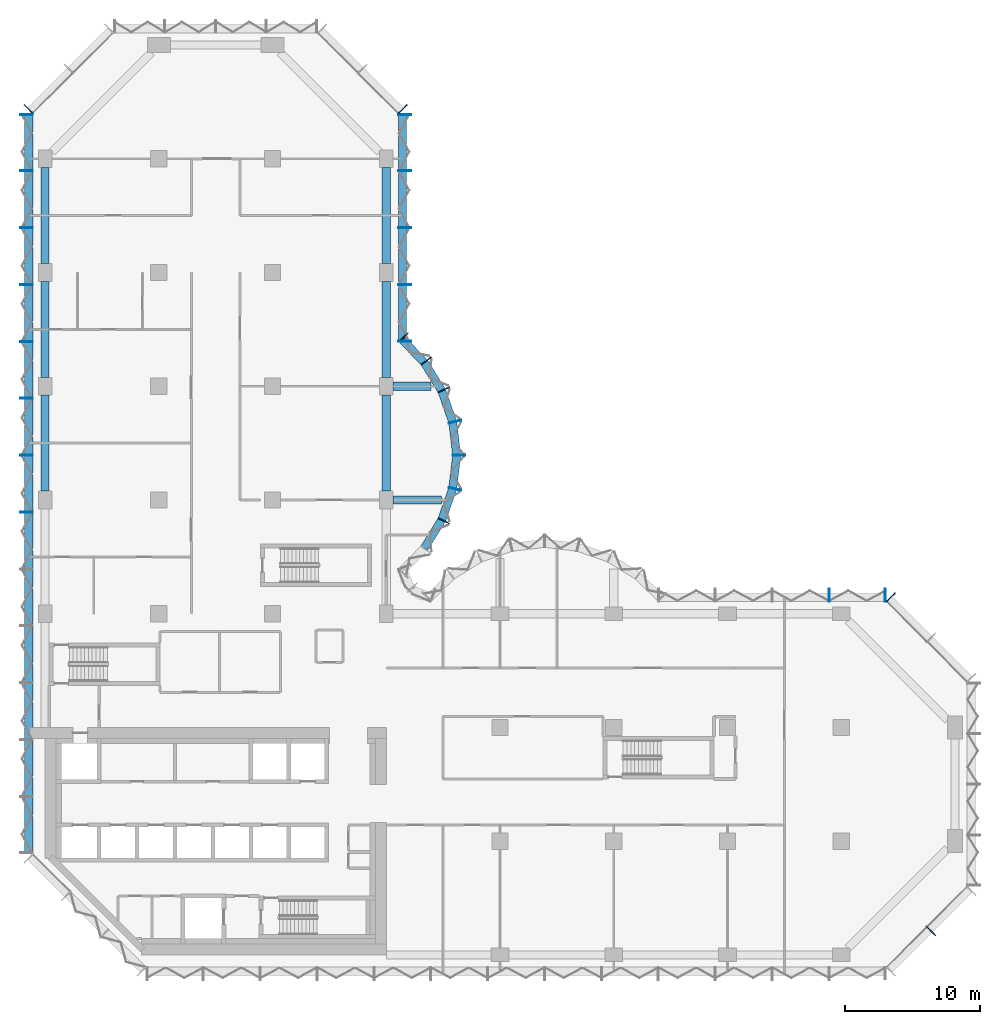
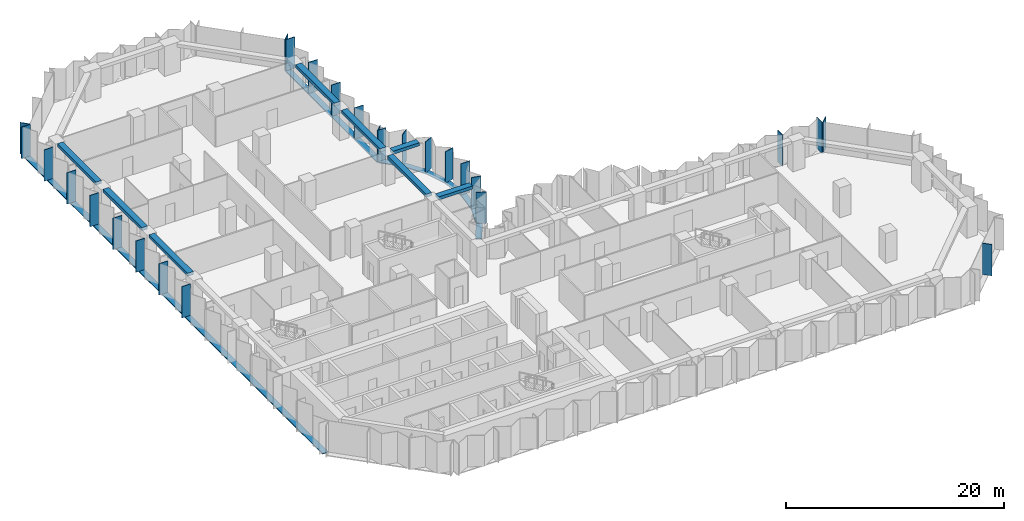
# One storey, part 3 of 13: 35 members, 8 beams, 8 elements without a shape of their own.
"""IFC4 building model written with IfcOpenShell, lengths in metres."""

from ifc_helpers import new_model, si_unit, direction, frame, origin, origin_2d, place, context, subcontext, project, spatial, rectangle, extrude, material, material_profile, profile_set, type_object, element, aggregate, save


model = new_model("IFC4")

# Units and contexts
model_context = context("Model", 3, precision=1e-05, world=origin(), true_north=direction((0.0, 1.0)))
body_context = subcontext(model_context, "Body", "Model", "MODEL_VIEW")
ifc_project = project(units=[si_unit("LENGTHUNIT", "METRE"), si_unit("AREAUNIT", "SQUARE_METRE"), si_unit("VOLUMEUNIT", "CUBIC_METRE"), si_unit("PLANEANGLEUNIT", "RADIAN"), si_unit("MASSUNIT", "GRAM", prefix="KILO")], contexts=[model_context])

# Site, building, storey
site_placement = place(None, origin())
site = spatial("IfcSite", under=ifc_project, at=site_placement, CompositionType="ELEMENT")
building_placement = place(site_placement, origin())
building = spatial("IfcBuilding", under=site, at=building_placement, Name="Brevane Broadcast Tower", CompositionType="ELEMENT")
storey_placement = place(building_placement, frame((0.0, 0.0, 116.89990234375)))
storey = spatial("IfcBuildingStorey", under=building, at=storey_placement, Name="L28", CompositionType="ELEMENT", Elevation=116.89990234375)

# Curtain wall, member
ifc_material_1 = material(Name="Aluminium 6063-T6 bronze anodised", Category="aluminium")
curtain_wall_type = type_object("IfcCurtainWallType", Name="CW-1 curtain wall", PredefinedType="NOTDEFINED", material=ifc_material_1)
curtain_wall_1_placement = place(storey_placement, origin())
curtain_wall_1 = element("IfcCurtainWall", 1, at=curtain_wall_1_placement, inside=storey, type_object=curtain_wall_type, Name="CW-1 typical tilted unit L28 south-east chamfer", PredefinedType="NOTDEFINED")
ifc_material_profile_1 = material_profile(ifc_material_1, rectangle(XDim=0.949951171875, YDim=0.070068359375, at=origin_2d()), Name="RECT 70x950")
ifc_profile_set_1 = profile_set([ifc_material_profile_1], Name="Aluminium 6063-T6 bronze anodised")
member_type_1 = type_object("IfcMemberType", Name="CW-1 mullion 70x950", PredefinedType="MULLION", material=ifc_profile_set_1)
member_1_placement = place(storey_placement, frame((65.435791015625, 1.76416015625, -0.14990234375), z_axis=(0.0, 0.0, 1.0), x_axis=(-0.707106781187, 0.707106781187, 0.0)))
member_1 = element("IfcMember", 2, at=member_1_placement, type_object=member_type_1, Name="CW-1 mullion", PredefinedType="MULLION", context=body_context, shape_type="SweptSolid", body=[
    extrude(rectangle(XDim=0.949951171875, YDim=0.070068359375, at=origin_2d()), origin(), (0.0, 0.0, 1.0), 3.5),
])
aggregate(curtain_wall_1, [member_1])

curtain_wall_2_placement = place(storey_placement, origin())
curtain_wall_2 = element("IfcCurtainWall", 3, at=curtain_wall_2_placement, inside=storey, type_object=curtain_wall_type, Name="CW-1 typical tilted unit L28 north-east chamfer", PredefinedType="NOTDEFINED")
member_2_placement = place(storey_placement, frame((62.460693359375, 26.4111328125, -0.14990234375), z_axis=(0.0, 0.0, 1.0), x_axis=(-0.707106781187, -0.707106781187, 0.0)))
member_2 = element("IfcMember", 4, at=member_2_placement, type_object=member_type_1, Name="CW-1 mullion", PredefinedType="MULLION", context=body_context, shape_type="SweptSolid", body=[
    extrude(rectangle(XDim=0.949951171875, YDim=0.070068359375, at=origin_2d()), origin(), (0.0, 0.0, 1.0), 3.5),
])
aggregate(curtain_wall_2, [member_2])

# Curtain wall, members
curtain_wall_3_placement = place(storey_placement, origin())
curtain_wall_3 = element("IfcCurtainWall", 5, at=curtain_wall_3_placement, inside=storey, type_object=curtain_wall_type, Name="CW-1 typical tilted unit L28 east arm north face", PredefinedType="NOTDEFINED")
member_3_placement = place(storey_placement, frame((62.06494140625, 26.574951171875, -0.14990234375), z_axis=(0.0, 0.0, 1.0), x_axis=(0.0, -1.0, 0.0)))
member_3 = element("IfcMember", 6, at=member_3_placement, type_object=member_type_1, Name="CW-1 mullion", PredefinedType="MULLION", context=body_context, shape_type="SweptSolid", body=[
    extrude(rectangle(XDim=0.949951171875, YDim=0.070068359375, at=origin_2d()), origin(), (0.0, 0.0, 1.0), 3.5),
])
member_4_placement = place(storey_placement, frame((57.89990234375, 26.574951171875, -0.14990234375), z_axis=(0.0, 0.0, 1.0), x_axis=(0.0, -1.0, 0.0)))
member_4 = element("IfcMember", 7, at=member_4_placement, type_object=member_type_1, Name="CW-1 mullion", PredefinedType="MULLION", context=body_context, shape_type="SweptSolid", body=[
    extrude(rectangle(XDim=0.949951171875, YDim=0.070068359375, at=origin_2d()), origin(), (0.0, 0.0, 1.0), 3.5),
])
aggregate(curtain_wall_3, [member_3, member_4])

curtain_wall_4_placement = place(storey_placement, origin())
curtain_wall_4 = element("IfcCurtainWall", 8, at=curtain_wall_4_placement, inside=storey, type_object=curtain_wall_type, Name="CW-1 typical tilted unit L28 north bow", PredefinedType="NOTDEFINED")
member_5_placement = place(storey_placement, frame((29.4580078125, 32.05322265625, -0.14990234375), z_axis=(0.0, 0.0, 1.0), x_axis=(-0.902860508933, 0.429933601163, 0.0)))
member_5 = element("IfcMember", 9, at=member_5_placement, type_object=member_type_1, Name="CW-1 mullion", PredefinedType="MULLION", context=body_context, shape_type="SweptSolid", body=[
    extrude(rectangle(XDim=0.949951171875, YDim=0.070068359375, at=origin_2d()), origin(), (0.0, 0.0, 1.0), 3.5),
])
member_6_placement = place(storey_placement, frame((30.28076171875, 34.411865234375, -0.14990234375), z_axis=(0.0, 0.0, 1.0), x_axis=(-0.974403430594, 0.224806482215, 0.0)))
member_6 = element("IfcMember", 10, at=member_6_placement, type_object=member_type_1, Name="CW-1 mullion", PredefinedType="MULLION", context=body_context, shape_type="SweptSolid", body=[
    extrude(rectangle(XDim=0.949951171875, YDim=0.070068359375, at=origin_2d()), origin(), (0.0, 0.0, 1.0), 3.5),
])
member_7_placement = place(storey_placement, frame((30.574951171875, 36.89990234375, -0.14990234375), z_axis=(0.0, 0.0, 1.0), x_axis=(-1.0, 0.0, 0.0)))
member_7 = element("IfcMember", 11, at=member_7_placement, type_object=member_type_1, Name="CW-1 mullion", PredefinedType="MULLION", context=body_context, shape_type="SweptSolid", body=[
    extrude(rectangle(XDim=0.949951171875, YDim=0.070068359375, at=origin_2d()), origin(), (0.0, 0.0, 1.0), 3.5),
])
member_8_placement = place(storey_placement, frame((30.28076171875, 39.38818359375, -0.14990234375), z_axis=(0.0, 0.0, 1.0), x_axis=(-0.974403430594, -0.224806482215, 0.0)))
member_8 = element("IfcMember", 12, at=member_8_placement, type_object=member_type_1, Name="CW-1 mullion", PredefinedType="MULLION", context=body_context, shape_type="SweptSolid", body=[
    extrude(rectangle(XDim=0.949951171875, YDim=0.070068359375, at=origin_2d()), origin(), (0.0, 0.0, 1.0), 3.5),
])
member_9_placement = place(storey_placement, frame((29.4580078125, 41.746826171875, -0.14990234375), z_axis=(0.0, 0.0, 1.0), x_axis=(-0.902860508933, -0.429933601163, 0.0)))
member_9 = element("IfcMember", 13, at=member_9_placement, type_object=member_type_1, Name="CW-1 mullion", PredefinedType="MULLION", context=body_context, shape_type="SweptSolid", body=[
    extrude(rectangle(XDim=0.949951171875, YDim=0.070068359375, at=origin_2d()), origin(), (0.0, 0.0, 1.0), 3.5),
])
member_10_placement = place(storey_placement, frame((28.1455078125, 43.8720703125, -0.14990234375), z_axis=(0.0, 0.0, 1.0), x_axis=(-0.788706642853, -0.614769738617, 0.0)))
member_10 = element("IfcMember", 14, at=member_10_placement, type_object=member_type_1, Name="CW-1 mullion", PredefinedType="MULLION", context=body_context, shape_type="SweptSolid", body=[
    extrude(rectangle(XDim=0.949951171875, YDim=0.070068359375, at=origin_2d()), origin(), (0.0, 0.0, 1.0), 3.5),
])
member_11_placement = place(storey_placement, frame((26.465087890625, 45.60595703125, -0.14990234375), z_axis=(0.0, 0.0, 1.0), x_axis=(-0.717253872699, -0.696811941702, 0.0)))
member_11 = element("IfcMember", 15, at=member_11_placement, type_object=member_type_1, Name="CW-1 mullion", PredefinedType="MULLION", context=body_context, shape_type="SweptSolid", body=[
    extrude(rectangle(XDim=0.949951171875, YDim=0.070068359375, at=origin_2d()), origin(), (0.0, 0.0, 1.0), 3.5),
])

curtain_wall_5_placement = place(storey_placement, origin())
curtain_wall_5 = element("IfcCurtainWall", 16, at=curtain_wall_5_placement, inside=storey, type_object=curtain_wall_type, Name="CW-1 typical tilted unit L28 north arm east face", PredefinedType="NOTDEFINED")
member_12_placement = place(storey_placement, frame((26.574951171875, 45.3349609375, -0.14990234375), z_axis=(0.0, 0.0, 1.0), x_axis=(-1.0, 0.0, 0.0)))
member_12 = element("IfcMember", 17, at=member_12_placement, type_object=member_type_1, Name="CW-1 mullion", PredefinedType="MULLION", context=body_context, shape_type="SweptSolid", body=[
    extrude(rectangle(XDim=0.949951171875, YDim=0.070068359375, at=origin_2d()), origin(), (0.0, 0.0, 1.0), 3.5),
])
member_13_placement = place(storey_placement, frame((26.574951171875, 49.5, -0.14990234375), z_axis=(0.0, 0.0, 1.0), x_axis=(-1.0, 0.0, 0.0)))
member_13 = element("IfcMember", 18, at=member_13_placement, type_object=member_type_1, Name="CW-1 mullion", PredefinedType="MULLION", context=body_context, shape_type="SweptSolid", body=[
    extrude(rectangle(XDim=0.949951171875, YDim=0.070068359375, at=origin_2d()), origin(), (0.0, 0.0, 1.0), 3.5),
])
member_14_placement = place(storey_placement, frame((26.574951171875, 53.699951171875, -0.14990234375), z_axis=(0.0, 0.0, 1.0), x_axis=(-1.0, 0.0, 0.0)))
member_14 = element("IfcMember", 19, at=member_14_placement, type_object=member_type_1, Name="CW-1 mullion", PredefinedType="MULLION", context=body_context, shape_type="SweptSolid", body=[
    extrude(rectangle(XDim=0.949951171875, YDim=0.070068359375, at=origin_2d()), origin(), (0.0, 0.0, 1.0), 3.5),
])
member_15_placement = place(storey_placement, frame((26.574951171875, 57.89990234375, -0.14990234375), z_axis=(0.0, 0.0, 1.0), x_axis=(-1.0, 0.0, 0.0)))
member_15 = element("IfcMember", 20, at=member_15_placement, type_object=member_type_1, Name="CW-1 mullion", PredefinedType="MULLION", context=body_context, shape_type="SweptSolid", body=[
    extrude(rectangle(XDim=0.949951171875, YDim=0.070068359375, at=origin_2d()), origin(), (0.0, 0.0, 1.0), 3.5),
])
member_16_placement = place(storey_placement, frame((26.574951171875, 62.06494140625, -0.14990234375), z_axis=(0.0, 0.0, 1.0), x_axis=(-1.0, 0.0, 0.0)))
member_16 = element("IfcMember", 21, at=member_16_placement, type_object=member_type_1, Name="CW-1 mullion", PredefinedType="MULLION", context=body_context, shape_type="SweptSolid", body=[
    extrude(rectangle(XDim=0.949951171875, YDim=0.070068359375, at=origin_2d()), origin(), (0.0, 0.0, 1.0), 3.5),
])

# Curtain wall, member
curtain_wall_6_placement = place(storey_placement, origin())
curtain_wall_6 = element("IfcCurtainWall", 22, at=curtain_wall_6_placement, inside=storey, type_object=curtain_wall_type, Name="CW-1 typical tilted unit L28 north arm north-east chamfer", PredefinedType="NOTDEFINED")
member_17_placement = place(storey_placement, frame((26.4111328125, 62.460693359375, -0.14990234375), z_axis=(0.0, 0.0, 1.0), x_axis=(-0.707106781187, -0.707106781187, 0.0)))
member_17 = element("IfcMember", 23, at=member_17_placement, type_object=member_type_1, Name="CW-1 mullion", PredefinedType="MULLION", context=body_context, shape_type="SweptSolid", body=[
    extrude(rectangle(XDim=0.949951171875, YDim=0.070068359375, at=origin_2d()), origin(), (0.0, 0.0, 1.0), 3.5),
])
aggregate(curtain_wall_6, [member_17])

curtain_wall_7_placement = place(storey_placement, origin())
curtain_wall_7 = element("IfcCurtainWall", 24, at=curtain_wall_7_placement, inside=storey, type_object=curtain_wall_type, Name="CW-1 typical tilted unit L28 north-west chamfer", PredefinedType="NOTDEFINED")
member_18_placement = place(storey_placement, frame((-1.211181640625, 62.460693359375, -0.14990234375), z_axis=(0.0, 0.0, 1.0), x_axis=(0.707106781187, -0.707106781187, 0.0)))
member_18 = element("IfcMember", 25, at=member_18_placement, type_object=member_type_1, Name="CW-1 mullion", PredefinedType="MULLION", context=body_context, shape_type="SweptSolid", body=[
    extrude(rectangle(XDim=0.949951171875, YDim=0.070068359375, at=origin_2d()), origin(), (0.0, 0.0, 1.0), 3.5),
])
aggregate(curtain_wall_7, [member_18])

# Curtain wall, members
curtain_wall_8_placement = place(storey_placement, origin())
curtain_wall_8 = element("IfcCurtainWall", 26, at=curtain_wall_8_placement, inside=storey, type_object=curtain_wall_type, Name="CW-1 typical tilted unit L28 west face", PredefinedType="NOTDEFINED")
member_19_placement = place(storey_placement, frame((-1.375, 62.06494140625, -0.14990234375), z_axis=(0.0, 0.0, 1.0), x_axis=(1.0, 0.0, 0.0)))
member_19 = element("IfcMember", 27, at=member_19_placement, type_object=member_type_1, Name="CW-1 mullion", PredefinedType="MULLION", context=body_context, shape_type="SweptSolid", body=[
    extrude(rectangle(XDim=0.949951171875, YDim=0.070068359375, at=origin_2d()), origin(), (0.0, 0.0, 1.0), 3.5),
])
member_20_placement = place(storey_placement, frame((-1.375, 57.89990234375, -0.14990234375), z_axis=(0.0, 0.0, 1.0), x_axis=(1.0, 0.0, 0.0)))
member_20 = element("IfcMember", 28, at=member_20_placement, type_object=member_type_1, Name="CW-1 mullion", PredefinedType="MULLION", context=body_context, shape_type="SweptSolid", body=[
    extrude(rectangle(XDim=0.949951171875, YDim=0.070068359375, at=origin_2d()), origin(), (0.0, 0.0, 1.0), 3.5),
])
member_21_placement = place(storey_placement, frame((-1.375, 53.699951171875, -0.14990234375), z_axis=(0.0, 0.0, 1.0), x_axis=(1.0, 0.0, 0.0)))
member_21 = element("IfcMember", 29, at=member_21_placement, type_object=member_type_1, Name="CW-1 mullion", PredefinedType="MULLION", context=body_context, shape_type="SweptSolid", body=[
    extrude(rectangle(XDim=0.949951171875, YDim=0.070068359375, at=origin_2d()), origin(), (0.0, 0.0, 1.0), 3.5),
])
member_22_placement = place(storey_placement, frame((-1.375, 49.5, -0.14990234375), z_axis=(0.0, 0.0, 1.0), x_axis=(1.0, 0.0, 0.0)))
member_22 = element("IfcMember", 30, at=member_22_placement, type_object=member_type_1, Name="CW-1 mullion", PredefinedType="MULLION", context=body_context, shape_type="SweptSolid", body=[
    extrude(rectangle(XDim=0.949951171875, YDim=0.070068359375, at=origin_2d()), origin(), (0.0, 0.0, 1.0), 3.5),
])
member_23_placement = place(storey_placement, frame((-1.375, 45.300048828125, -0.14990234375), z_axis=(0.0, 0.0, 1.0), x_axis=(1.0, 0.0, 0.0)))
member_23 = element("IfcMember", 31, at=member_23_placement, type_object=member_type_1, Name="CW-1 mullion", PredefinedType="MULLION", context=body_context, shape_type="SweptSolid", body=[
    extrude(rectangle(XDim=0.949951171875, YDim=0.070068359375, at=origin_2d()), origin(), (0.0, 0.0, 1.0), 3.5),
])
member_24_placement = place(storey_placement, frame((-1.375, 41.10009765625, -0.14990234375), z_axis=(0.0, 0.0, 1.0), x_axis=(1.0, 0.0, 0.0)))
member_24 = element("IfcMember", 32, at=member_24_placement, type_object=member_type_1, Name="CW-1 mullion", PredefinedType="MULLION", context=body_context, shape_type="SweptSolid", body=[
    extrude(rectangle(XDim=0.949951171875, YDim=0.070068359375, at=origin_2d()), origin(), (0.0, 0.0, 1.0), 3.5),
])
member_25_placement = place(storey_placement, frame((-1.375, 36.89990234375, -0.14990234375), z_axis=(0.0, 0.0, 1.0), x_axis=(1.0, 0.0, 0.0)))
member_25 = element("IfcMember", 33, at=member_25_placement, type_object=member_type_1, Name="CW-1 mullion", PredefinedType="MULLION", context=body_context, shape_type="SweptSolid", body=[
    extrude(rectangle(XDim=0.949951171875, YDim=0.070068359375, at=origin_2d()), origin(), (0.0, 0.0, 1.0), 3.5),
])
member_26_placement = place(storey_placement, frame((-1.375, 32.699951171875, -0.14990234375), z_axis=(0.0, 0.0, 1.0), x_axis=(1.0, 0.0, 0.0)))
member_26 = element("IfcMember", 34, at=member_26_placement, type_object=member_type_1, Name="CW-1 mullion", PredefinedType="MULLION", context=body_context, shape_type="SweptSolid", body=[
    extrude(rectangle(XDim=0.949951171875, YDim=0.070068359375, at=origin_2d()), origin(), (0.0, 0.0, 1.0), 3.5),
])

# Member
ifc_material_profile_2 = material_profile(ifc_material_1, rectangle(XDim=0.60009765625, YDim=0.10009765625, at=origin_2d()), Name="RECT 100x600")
ifc_profile_set_2 = profile_set([ifc_material_profile_2], Name="Aluminium 6063-T6 bronze anodised")
member_type_2 = type_object("IfcMemberType", Name="CW-1 transom 100x600", PredefinedType="USERDEFINED", material=ifc_profile_set_2)
member_27_placement = place(storey_placement, frame((28.023193359375, 30.0576171875, -0.199951171875), z_axis=(0.525427766759, 0.850838211365, 0.0), x_axis=(-0.850838211365, 0.525427766759, 0.0)))
member_27 = element("IfcMember", 35, at=member_27_placement, type_object=member_type_2, Name="CW-1 transom", ObjectType="TRANSOM", PredefinedType="USERDEFINED", context=body_context, shape_type="SweptSolid", body=[
    extrude(rectangle(XDim=0.60009765625, YDim=0.10009765625, at=origin_2d()), origin(), (0.0, 0.0, 1.0), 2.394775390625),
])

member_28_placement = place(storey_placement, frame((29.314208984375, 32.163818359375, -0.199951171875), z_axis=(0.329378497041, 0.944197969542, 0.0), x_axis=(-0.944197969542, 0.329378497041, 0.0)))
member_28 = element("IfcMember", 36, at=member_28_placement, type_object=member_type_2, Name="CW-1 transom", ObjectType="TRANSOM", PredefinedType="USERDEFINED", context=body_context, shape_type="SweptSolid", body=[
    extrude(rectangle(XDim=0.60009765625, YDim=0.10009765625, at=origin_2d()), origin(), (0.0, 0.0, 1.0), 2.394775390625),
])

member_29_placement = place(storey_placement, frame((30.117431640625, 34.499755859375, -0.199951171875), z_axis=(0.117603307202, 0.993060653805, 0.0), x_axis=(-0.993060653805, 0.117603307202, 0.0)))
member_29 = element("IfcMember", 37, at=member_29_placement, type_object=member_type_2, Name="CW-1 transom", ObjectType="TRANSOM", PredefinedType="USERDEFINED", context=body_context, shape_type="SweptSolid", body=[
    extrude(rectangle(XDim=0.60009765625, YDim=0.10009765625, at=origin_2d()), origin(), (0.0, 0.0, 1.0), 2.397705078125),
])

member_30_placement = place(storey_placement, frame((30.3994140625, 36.9189453125, -0.199951171875), z_axis=(-0.117591417, 0.993062061831, 0.0), x_axis=(-0.993062061831, -0.117591417, 0.0)))
member_30 = element("IfcMember", 38, at=member_30_placement, type_object=member_type_2, Name="CW-1 transom", ObjectType="TRANSOM", PredefinedType="USERDEFINED", context=body_context, shape_type="SweptSolid", body=[
    extrude(rectangle(XDim=0.60009765625, YDim=0.10009765625, at=origin_2d()), origin(), (0.0, 0.0, 1.0), 2.39794921875),
])

member_31_placement = place(storey_placement, frame((30.10302734375, 39.375, -0.199951171875), z_axis=(-0.329378497041, 0.944197969542, 0.0), x_axis=(-0.944197969542, -0.329378497041, 0.0)))
member_31 = element("IfcMember", 39, at=member_31_placement, type_object=member_type_2, Name="CW-1 transom", ObjectType="TRANSOM", PredefinedType="USERDEFINED", context=body_context, shape_type="SweptSolid", body=[
    extrude(rectangle(XDim=0.60009765625, YDim=0.10009765625, at=origin_2d()), origin(), (0.0, 0.0, 1.0), 2.394775390625),
])

member_32_placement = place(storey_placement, frame((29.281494140625, 41.704833984375, -0.199951171875), z_axis=(-0.525473345162, 0.850810063131, 0.0), x_axis=(-0.850810063131, -0.525473345162, 0.0)))
member_32 = element("IfcMember", 40, at=member_32_placement, type_object=member_type_2, Name="CW-1 transom", ObjectType="TRANSOM", PredefinedType="USERDEFINED", context=body_context, shape_type="SweptSolid", body=[
    extrude(rectangle(XDim=0.60009765625, YDim=0.10009765625, at=origin_2d()), origin(), (0.0, 0.0, 1.0), 2.39453125),
])

member_33_placement = place(storey_placement, frame((27.974365234375, 43.800537109375, -0.199951171875), z_axis=(-0.696823999134, 0.71724215871, 0.0), x_axis=(-0.71724215871, -0.696823999134, 0.0)))
member_33 = element("IfcMember", 41, at=member_33_placement, type_object=member_type_2, Name="CW-1 transom", ObjectType="TRANSOM", PredefinedType="USERDEFINED", context=body_context, shape_type="SweptSolid", body=[
    extrude(rectangle(XDim=0.60009765625, YDim=0.10009765625, at=origin_2d()), origin(), (0.0, 0.0, 1.0), 2.247802734375),
])

aggregate(curtain_wall_4, [member_5, member_6, member_7, member_8, member_9, member_10, member_11, member_27, member_28, member_29, member_30, member_31, member_32, member_33])

member_34_placement = place(storey_placement, frame((26.39990234375, 45.300048828125, -0.199951171875), z_axis=(0.0, 1.0, 0.0), x_axis=(-1.0, 0.0, 0.0)))
member_34 = element("IfcMember", 42, at=member_34_placement, type_object=member_type_2, Name="CW-1 transom", ObjectType="TRANSOM", PredefinedType="USERDEFINED", context=body_context, shape_type="SweptSolid", body=[
    extrude(rectangle(XDim=0.60009765625, YDim=0.10009765625, at=origin_2d()), origin(), (0.0, 0.0, 1.0), 16.800048828125),
])

aggregate(curtain_wall_5, [member_12, member_13, member_14, member_15, member_16, member_34])

member_35_placement = place(storey_placement, frame((-1.199951171875, 62.10009765625, -0.199951171875), z_axis=(0.0, -1.0, 0.0), x_axis=(1.0, 0.0, 0.0)))
member_35 = element("IfcMember", 43, at=member_35_placement, type_object=member_type_2, Name="CW-1 transom", ObjectType="TRANSOM", PredefinedType="USERDEFINED", context=body_context, shape_type="SweptSolid", body=[
    extrude(rectangle(XDim=0.60009765625, YDim=0.10009765625, at=origin_2d()), origin(), (0.0, 0.0, 1.0), 54.60009765625),
])

aggregate(curtain_wall_8, [member_19, member_20, member_21, member_22, member_23, member_24, member_25, member_26, member_35])

# Beams
ifc_material_2 = material(Name="Concrete C40/50", Category="concrete")
ifc_material_profile_3 = material_profile(ifc_material_2, rectangle(XDim=0.60009765625, YDim=0.35009765625, at=origin_2d()), Name="RC 600x350")
ifc_profile_set_3 = profile_set([ifc_material_profile_3], Name="Concrete C40/50")
beam_type_1 = type_object("IfcBeamType", Name="RC BRACKET BEAM 600x350 C40/50", PredefinedType="BEAM", material=ifc_profile_set_3)
beam_1_placement = place(storey_placement, frame((25.699951171875, 33.60009765625, 3.175048828125), z_axis=(1.0, 0.0, 0.0), x_axis=(0.0, 1.0, 0.0)))
element("IfcBeam", 44, at=beam_1_placement, inside=storey, type_object=beam_type_1, Name="EB2 L28-1", PredefinedType="BEAM", context=body_context, shape_type="SweptSolid", body=[
    extrude(rectangle(XDim=0.60009765625, YDim=0.35009765625, at=origin_2d()), origin(), (0.0, 0.0, 1.0), 3.56201171875),
])
beam_2_placement = place(storey_placement, frame((25.699951171875, 42.0, 3.175048828125), z_axis=(1.0, 0.0, 0.0), x_axis=(0.0, 1.0, 0.0)))
element("IfcBeam", 45, at=beam_2_placement, inside=storey, type_object=beam_type_1, Name="EB2 L28-2", PredefinedType="BEAM", context=body_context, shape_type="SweptSolid", body=[
    extrude(rectangle(XDim=0.60009765625, YDim=0.35009765625, at=origin_2d()), origin(), (0.0, 0.0, 1.0), 2.8115234375),
])
ifc_material_profile_4 = material_profile(ifc_material_2, rectangle(XDim=0.60009765625, YDim=0.35009765625, at=origin_2d()), Name="RC 600x350")
ifc_profile_set_4 = profile_set([ifc_material_profile_4], Name="Concrete C40/50")
beam_type_2 = type_object("IfcBeamType", Name="RC SPANDREL BEAM 600x350 C40/50", PredefinedType="SPANDREL", material=ifc_profile_set_4)
for number, where, z_axis, x_axis, name in (
    (46, (25.199951171875, 34.25, 3.175048828125), (0.0, 1.0, 0.0), (-1.0, 0.0, 0.0), "EB1 L28-13"),
    (47, (25.199951171875, 42.64990234375, 3.175048828125), (0.0, 1.0, 0.0), (-1.0, 0.0, 0.0), "EB1 L28-14"),
):
    element("IfcBeam", number, at=place(storey_placement, frame(where, z_axis=z_axis, x_axis=x_axis)), inside=storey, type_object=beam_type_2, Name=name, PredefinedType="SPANDREL", context=body_context, shape_type="SweptSolid", body=[
        extrude(rectangle(XDim=0.60009765625, YDim=0.35009765625, at=origin_2d()), origin(), (0.0, 0.0, 1.0), 7.10009765625),
    ])
for number, where, z_axis, x_axis, name in (
    (48, (25.199951171875, 51.050048828125, 3.175048828125), (0.0, 1.0, 0.0), (-1.0, 0.0, 0.0), "EB1 L28-15"),
    (49, (0.0, 58.14990234375, 3.175048828125), (0.0, -1.0, 0.0), (1.0, 0.0, 0.0), "EB1 L28-19"),
):
    element("IfcBeam", number, at=place(storey_placement, frame(where, z_axis=z_axis, x_axis=x_axis)), inside=storey, type_object=beam_type_2, Name=name, PredefinedType="SPANDREL", context=body_context, shape_type="SweptSolid", body=[
        extrude(rectangle(XDim=0.60009765625, YDim=0.35009765625, at=origin_2d()), origin(), (0.0, 0.0, 1.0), 7.099853515625),
    ])
for number, where, z_axis, x_axis, name in (
    (50, (0.0, 49.75, 3.175048828125), (0.0, -1.0, 0.0), (1.0, 0.0, 0.0), "EB1 L28-20"),
    (51, (0.0, 41.35009765625, 3.175048828125), (0.0, -1.0, 0.0), (1.0, 0.0, 0.0), "EB1 L28-21"),
):
    element("IfcBeam", number, at=place(storey_placement, frame(where, z_axis=z_axis, x_axis=x_axis)), inside=storey, type_object=beam_type_2, Name=name, PredefinedType="SPANDREL", context=body_context, shape_type="SweptSolid", body=[
        extrude(rectangle(XDim=0.60009765625, YDim=0.35009765625, at=origin_2d()), origin(), (0.0, 0.0, 1.0), 7.10009765625),
    ])

save(model, "model.ifc")
